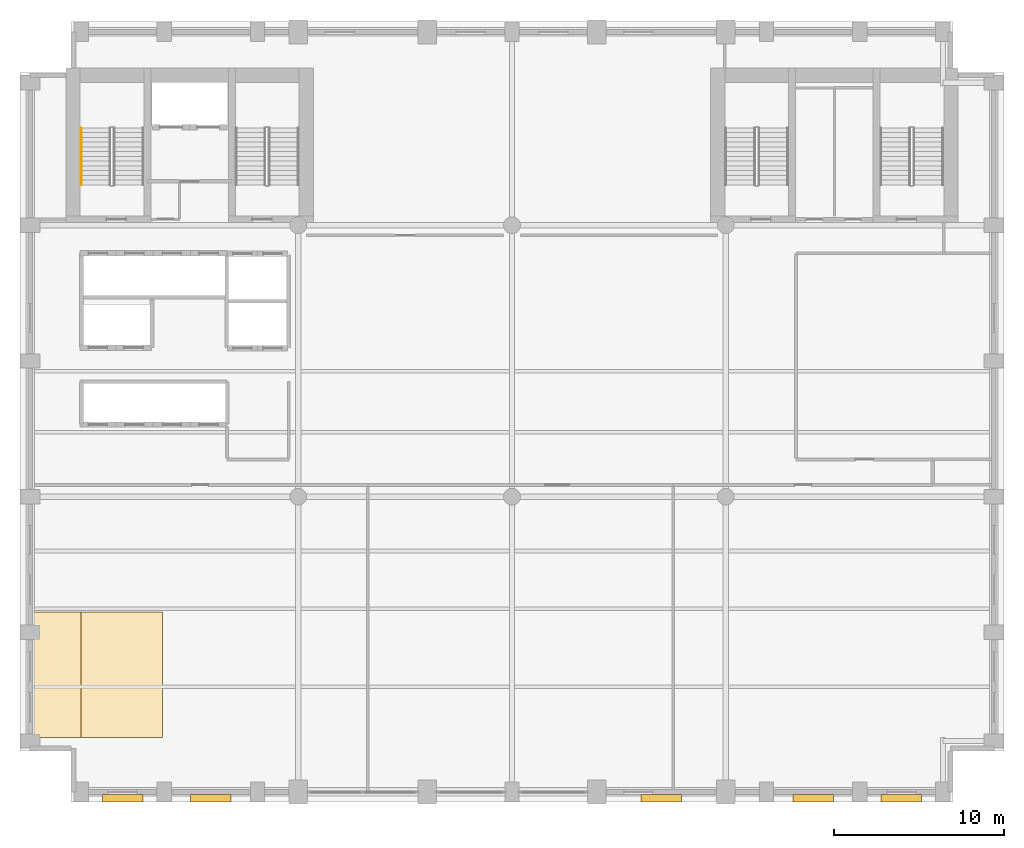
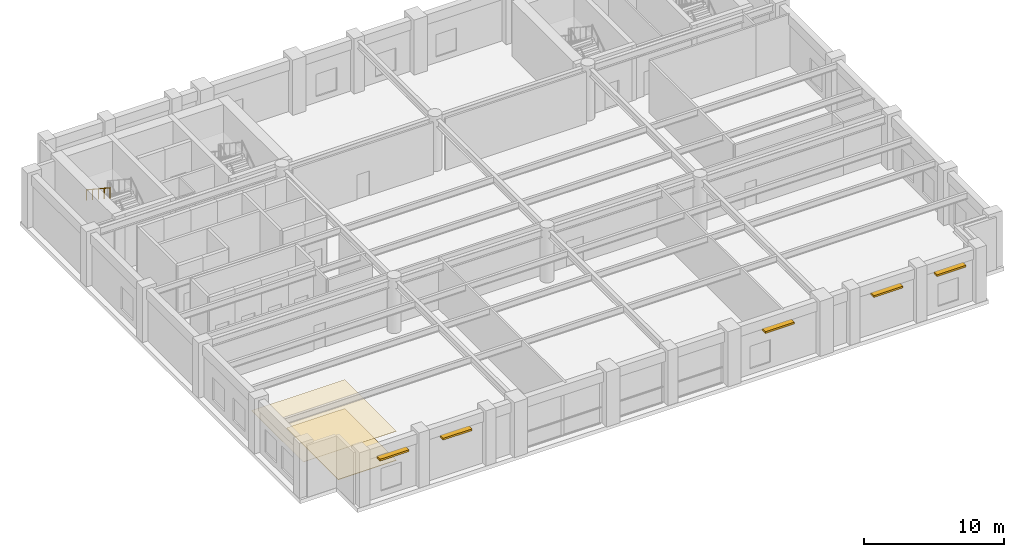
# One storey, part 8 of 10: 5 shading devices, 2 coverings, 1 railing.
"""IFC4 building model written with IfcOpenShell, lengths in metres."""

from ifc_helpers import new_model, si_unit, direction, frame, origin, origin_2d, place, context, subcontext, project, spatial, polyline, rectangle, circle, outline, extrude, material, layer, layer_set, type_object, element, save


model = new_model("IFC4")

# Units and contexts
model_context = context("Model", 3, precision=1e-05, world=origin(), true_north=direction((0.0, 1.0)))
body_context = subcontext(model_context, "Body", "Model", "MODEL_VIEW")
ifc_project = project(units=[si_unit("LENGTHUNIT", "METRE"), si_unit("AREAUNIT", "SQUARE_METRE"), si_unit("VOLUMEUNIT", "CUBIC_METRE"), si_unit("PLANEANGLEUNIT", "RADIAN"), si_unit("MASSUNIT", "GRAM", prefix="KILO")], contexts=[model_context])

# Site, building, storey
site_placement = place(None, origin())
site = spatial("IfcSite", under=ifc_project, at=site_placement, CompositionType="ELEMENT")
building_placement = place(site_placement, origin())
building = spatial("IfcBuilding", under=site, at=building_placement, Name="Sulina Concourse Tower", CompositionType="ELEMENT")
storey_placement = place(building_placement, frame((0.0, 0.0, 87.800048828125)))
storey = spatial("IfcBuildingStorey", under=building, at=storey_placement, Name="L21", CompositionType="ELEMENT", Elevation=87.800048828125)

# Shading devices
ifc_material_1 = material(Name="Precast concrete C50/60", Category="concrete")
shading_device_type = type_object("IfcShadingDeviceType", Name="Brutalist Precast Horizontal Sunshade Fin", PredefinedType="USERDEFINED", material=ifc_material_1)
for number, where, z_axis, x_axis, name in (
    (1, (6.050048828125, 0.235107421875, 3.4951171875), (0.0, 0.0, 1.0), (1.0, 0.0, 0.0), "L21 precast solar sunshade S1"),
    (2, (11.25, 0.235107421875, 3.4951171875), (0.0, 0.0, 1.0), (1.0, 0.0, 0.0), "L21 precast solar sunshade S2"),
    (3, (37.800048828125, 0.235107421875, 3.4951171875), (0.0, 0.0, 1.0), (1.0, 0.0, 0.0), "L21 precast solar sunshade S7"),
    (4, (46.75, 0.235107421875, 3.4951171875), (0.0, 0.0, 1.0), (1.0, 0.0, 0.0), "L21 precast solar sunshade S9"),
    (5, (51.949951171875, 0.235107421875, 3.4951171875), (0.0, 0.0, 1.0), (1.0, 0.0, 0.0), "L21 precast solar sunshade S10"),
):
    element("IfcShadingDevice", number, at=place(storey_placement, frame(where, z_axis=z_axis, x_axis=x_axis)), inside=storey, type_object=shading_device_type, Name=name, ObjectType="SUNSHADE", PredefinedType="USERDEFINED", context=body_context, shape_type="SweptSolid", body=[
        extrude(rectangle(XDim=2.39990234375, YDim=0.449951171875, at=origin_2d()), origin(), (0.0, 0.0, 1.0), 0.159912109375),
    ])

# Covering
ifc_material_2 = material(Name="Polished granite flooring", Category="masonry")
ifc_layer_1 = layer(ifc_material_2, 0.044921875)
ifc_layer_set_1 = layer_set([ifc_layer_1], Name="Polished granite flooring")
covering_type_1 = type_object("IfcCoveringType", Name="Polished Granite & Raised Access Flooring 45mm", PredefinedType="FLOORING", material=ifc_layer_set_1)
covering_1_placement = place(storey_placement, origin())
element("IfcCovering", 6, at=covering_1_placement, inside=storey, type_object=covering_type_1, Name="L21 raised access floor finish", PredefinedType="FLOORING", context=body_context, shape_type="SweptSolid", body=[
    extrude(outline(polyline([(3.60009765625, 3.800048828125), (8.39990234375, 3.800048828125), (8.39990234375, 11.199951171875), (3.60009765625, 11.199951171875), (3.60009765625, 3.800048828125)])), origin(), (0.0, 0.0, 1.0), 0.044921875),
])

# Railing
ifc_material_3 = material(Name="Galvanised steel railing", Category="steel")
railing_type = type_object("IfcRailingType", Name="Stair Wall Steel Handrail 920mm", PredefinedType="HANDRAIL", material=ifc_material_3)
railing_placement = place(storey_placement, frame((3.60498046875, 39.735107421875, 2.58447265625)))
element("IfcRailing", 7, at=railing_placement, inside=storey, type_object=railing_type, Name="L21 ST-1 stair handrail 2", PredefinedType="HANDRAIL", context=body_context, shape_type="SweptSolid", body=[
    extrude(circle(Radius=0.02392578125, at=origin_2d()), frame((0.0, 0.0, 0.89599609375), z_axis=(0.0, -0.834848600103, 0.550479622607), x_axis=(1.0, 0.0, 0.0)), (0.0, 0.0, 1.0), 4.02490234375),
    extrude(circle(Radius=0.02099609375, at=origin_2d()), origin(), (0.0, 0.0, 1.0), 0.871826171875),
    extrude(circle(Radius=0.02099609375, at=origin_2d()), frame((0.0, -0.840087890625, 0.553955078125)), (0.0, 0.0, 1.0), 0.871826171875),
    extrude(circle(Radius=0.02099609375, at=origin_2d()), frame((0.0, -1.68017578125, 1.10791015625)), (0.0, 0.0, 1.0), 0.871826171875),
    extrude(circle(Radius=0.02099609375, at=origin_2d()), frame((0.0, -2.52001953125, 1.66162109375)), (0.0, 0.0, 1.0), 0.871826171875),
    extrude(circle(Radius=0.02099609375, at=origin_2d()), frame((0.0, -3.360107421875, 2.215576171875)), (0.0, 0.0, 1.0), 0.871826171875),
])

# Covering
ifc_material_4 = material(Name="Acoustic mineral ceiling board")
ifc_layer_2 = layer(ifc_material_4, 0.02490234375)
ifc_layer_set_2 = layer_set([ifc_layer_2], Name="Acoustic mineral ceiling board")
covering_type_2 = type_object("IfcCoveringType", Name="Suspended Acoustic Mineral Ceiling 25mm", PredefinedType="CEILING", material=ifc_layer_set_2)
covering_2_placement = place(storey_placement, frame((0.0, 0.0, 2.550048828125)))
element("IfcCovering", 8, at=covering_2_placement, inside=storey, type_object=covering_type_2, Name="L21 suspended acoustic tile ceiling", PredefinedType="CEILING", context=body_context, shape_type="SweptSolid", body=[
    extrude(outline(polyline([(0.719970703125, 3.800048828125), (8.39990234375, 3.800048828125), (8.39990234375, 11.199951171875), (0.719970703125, 11.199951171875), (0.719970703125, 3.800048828125)])), origin(), (0.0, 0.0, 1.0), 0.02490234375),
])

save(model, "model.ifc")
